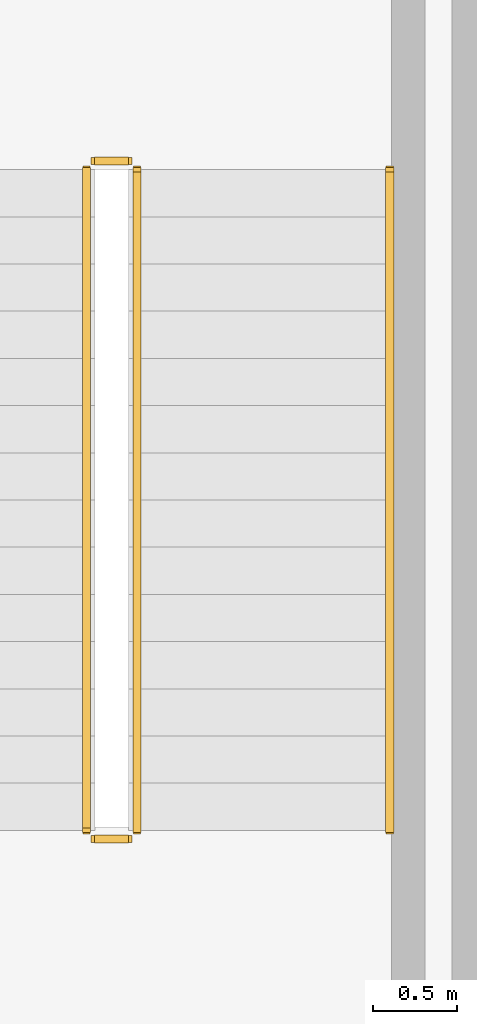
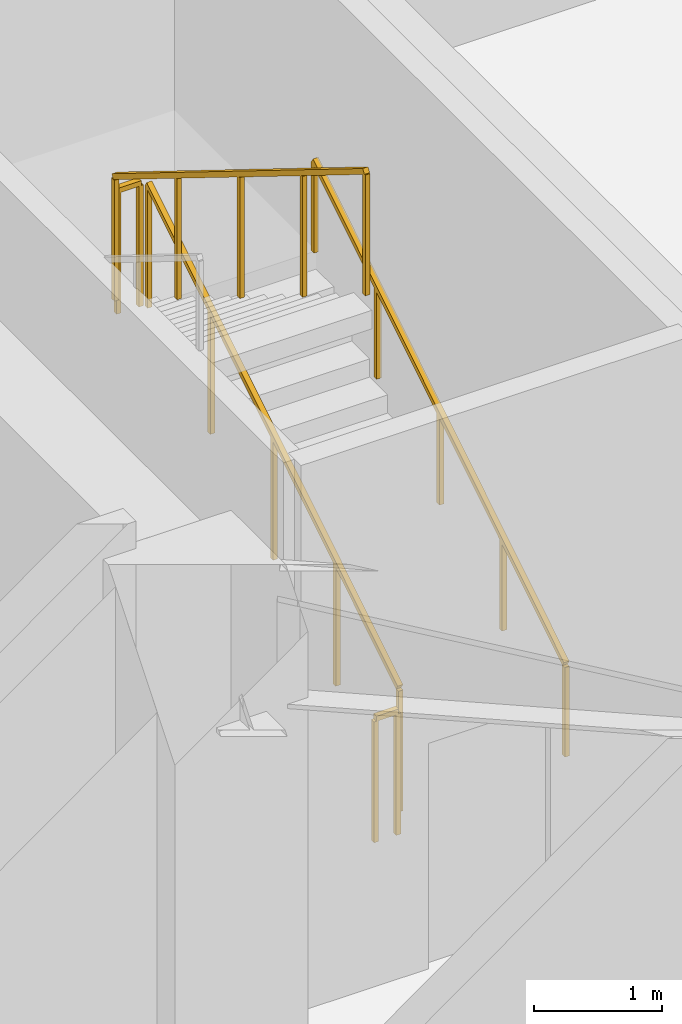
# One storey, part 6 of 6: 5 railings.
"""IFC4 building model written with IfcOpenShell, lengths in metres."""

from ifc_helpers import new_model, si_unit, direction, frame, origin, origin_2d, place, context, subcontext, project, spatial, rectangle, extrude, material, type_object, element, save


model = new_model("IFC4")

# Units and contexts
model_context = context("Model", 3, precision=1e-05, world=origin(), true_north=direction((0.0, 1.0)))
body_context = subcontext(model_context, "Body", "Model", "MODEL_VIEW")
ifc_project = project(units=[si_unit("LENGTHUNIT", "METRE"), si_unit("AREAUNIT", "SQUARE_METRE"), si_unit("VOLUMEUNIT", "CUBIC_METRE"), si_unit("PLANEANGLEUNIT", "RADIAN"), si_unit("MASSUNIT", "GRAM", prefix="KILO")], contexts=[model_context])

# Site, building, storey
site_placement = place(None, origin())
site = spatial("IfcSite", under=ifc_project, at=site_placement, CompositionType="ELEMENT")
building_placement = place(site_placement, origin())
building = spatial("IfcBuilding", under=site, at=building_placement, Name="Giltprow Tower", CompositionType="ELEMENT")
storey_placement = place(building_placement, frame((0.0, 0.0, -5.199951171875)))
storey = spatial("IfcBuildingStorey", under=building, at=storey_placement, Name="B01", CompositionType="ELEMENT", Elevation=-5.199951171875)

# Railings
ifc_material = material(Name="Anodized bronze", Category="metal")
railing_type_1 = type_object("IfcRailingType", Name="RAIL-STAIR-GUARD-1200", PredefinedType="GUARDRAIL", material=ifc_material)
railing_1_placement = place(storey_placement, frame((53.64990234375, 39.75, 0.17333984375)))
element("IfcRailing", 1, at=railing_1_placement, inside=storey, type_object=railing_type_1, Name="B01 ST-P2 stair guard 1", PredefinedType="GUARDRAIL", context=body_context, shape_type="SweptSolid", body=[
    extrude(rectangle(XDim=0.048095703125, YDim=0.048095703125, at=origin_2d()), frame((0.0, 0.0, 1.17578125), z_axis=(0.0, 0.850275303828, 0.526338206574), x_axis=(-1.0, 0.0, 0.0)), (0.0, 0.0, 1.0), 4.610107421875),
    extrude(rectangle(XDim=0.0419921875, YDim=0.0419921875, at=origin_2d()), origin(), (0.0, 0.0, 1.0), 1.15185546875),
    extrude(rectangle(XDim=0.0419921875, YDim=0.0419921875, at=origin_2d()), frame((0.0, 0.97998046875, 0.606689453125)), (0.0, 0.0, 1.0), 1.15185546875),
    extrude(rectangle(XDim=0.0419921875, YDim=0.0419921875, at=origin_2d()), frame((0.0, 1.9599609375, 1.21337890625)), (0.0, 0.0, 1.0), 1.15185546875),
    extrude(rectangle(XDim=0.0419921875, YDim=0.0419921875, at=origin_2d()), frame((0.0, 2.93994140625, 1.81982421875)), (0.0, 0.0, 1.0), 1.15185546875),
    extrude(rectangle(XDim=0.0419921875, YDim=0.0419921875, at=origin_2d()), frame((0.0, 3.919921875, 2.426513671875)), (0.0, 0.0, 1.0), 1.15185546875),
])
railing_2_placement = place(storey_placement, frame((53.60009765625, 43.719970703125, 2.599853515625)))
element("IfcRailing", 2, at=railing_2_placement, inside=storey, type_object=railing_type_1, Name="B01 ST-P2 stair guard 2", PredefinedType="GUARDRAIL", context=body_context, shape_type="SweptSolid", body=[
    extrude(rectangle(XDim=0.048095703125, YDim=0.048095703125, at=origin_2d()), frame((0.0, 0.0, 1.17578125), z_axis=(-1.0, 0.0, 0.0), x_axis=(0.0, -1.0, 0.0)), (0.0, 0.0, 1.0), 0.2001953125),
    extrude(rectangle(XDim=0.0419921875, YDim=0.0419921875, at=origin_2d()), origin(), (0.0, 0.0, 1.0), 1.15185546875),
    extrude(rectangle(XDim=0.0419921875, YDim=0.0419921875, at=origin_2d()), frame((-0.2001953125, 0.0, 0.0)), (0.0, 0.0, 1.0), 1.15185546875),
])
railing_3_placement = place(storey_placement, frame((53.35009765625, 43.669921875, 2.773193359375)))
element("IfcRailing", 3, at=railing_3_placement, inside=storey, type_object=railing_type_1, Name="B01 ST-P2 stair guard 3", PredefinedType="GUARDRAIL", context=body_context, shape_type="SweptSolid", body=[
    extrude(rectangle(XDim=0.048095703125, YDim=0.048095703125, at=origin_2d()), frame((0.0, 0.0, 1.17578125), z_axis=(0.0, -0.850251603719, 0.526376491091), x_axis=(1.0, 0.0, 0.0)), (0.0, 0.0, 1.0), 4.6103515625),
    extrude(rectangle(XDim=0.0419921875, YDim=0.0419921875, at=origin_2d()), origin(), (0.0, 0.0, 1.0), 1.15185546875),
    extrude(rectangle(XDim=0.0419921875, YDim=0.0419921875, at=origin_2d()), frame((0.0, -0.97998046875, 0.606689453125)), (0.0, 0.0, 1.0), 1.15185546875),
    extrude(rectangle(XDim=0.0419921875, YDim=0.0419921875, at=origin_2d()), frame((0.0, -1.9599609375, 1.21337890625)), (0.0, 0.0, 1.0), 1.15185546875),
    extrude(rectangle(XDim=0.0419921875, YDim=0.0419921875, at=origin_2d()), frame((0.0, -2.93994140625, 1.820068359375)), (0.0, 0.0, 1.0), 1.15185546875),
    extrude(rectangle(XDim=0.0419921875, YDim=0.0419921875, at=origin_2d()), frame((0.0, -3.919921875, 2.4267578125)), (0.0, 0.0, 1.0), 1.15185546875),
])
railing_4_placement = place(storey_placement, frame((53.60009765625, 39.699951171875, 0.0)))
element("IfcRailing", 4, at=railing_4_placement, inside=storey, type_object=railing_type_1, Name="B01 ST-P2 stair guard 4", PredefinedType="GUARDRAIL", context=body_context, shape_type="SweptSolid", body=[
    extrude(rectangle(XDim=0.048095703125, YDim=0.048095703125, at=origin_2d()), frame((0.0, 0.0, 1.17578125), z_axis=(-1.0, 0.0, 0.0), x_axis=(0.0, -1.0, 0.0)), (0.0, 0.0, 1.0), 0.2001953125),
    extrude(rectangle(XDim=0.0419921875, YDim=0.0419921875, at=origin_2d()), origin(), (0.0, 0.0, 1.0), 1.15185546875),
    extrude(rectangle(XDim=0.0419921875, YDim=0.0419921875, at=origin_2d()), frame((-0.2001953125, 0.0, 0.0)), (0.0, 0.0, 1.0), 1.15185546875),
])
railing_type_2 = type_object("IfcRailingType", Name="RAIL-STAIR-HAND-900", PredefinedType="HANDRAIL", material=ifc_material)
railing_5_placement = place(storey_placement, frame((55.14990234375, 39.75, 0.17333984375)))
element("IfcRailing", 5, at=railing_5_placement, inside=storey, type_object=railing_type_2, Name="B01 ST-P2 stair handrail 1", PredefinedType="HANDRAIL", context=body_context, shape_type="SweptSolid", body=[
    extrude(rectangle(XDim=0.048095703125, YDim=0.048095703125, at=origin_2d()), frame((0.0, 0.0, 0.8759765625), z_axis=(0.0, 0.850275303828, 0.526338206574), x_axis=(-1.0, 0.0, 0.0)), (0.0, 0.0, 1.0), 4.610107421875),
    extrude(rectangle(XDim=0.0419921875, YDim=0.0419921875, at=origin_2d()), origin(), (0.0, 0.0, 1.0), 0.851806640625),
    extrude(rectangle(XDim=0.0419921875, YDim=0.0419921875, at=origin_2d()), frame((0.0, 0.97998046875, 0.606689453125)), (0.0, 0.0, 1.0), 0.851806640625),
    extrude(rectangle(XDim=0.0419921875, YDim=0.0419921875, at=origin_2d()), frame((0.0, 1.9599609375, 1.21337890625)), (0.0, 0.0, 1.0), 0.851806640625),
    extrude(rectangle(XDim=0.0419921875, YDim=0.0419921875, at=origin_2d()), frame((0.0, 2.93994140625, 1.81982421875)), (0.0, 0.0, 1.0), 0.851806640625),
    extrude(rectangle(XDim=0.0419921875, YDim=0.0419921875, at=origin_2d()), frame((0.0, 3.919921875, 2.426513671875)), (0.0, 0.0, 1.0), 0.851806640625),
])

save(model, "model.ifc")
